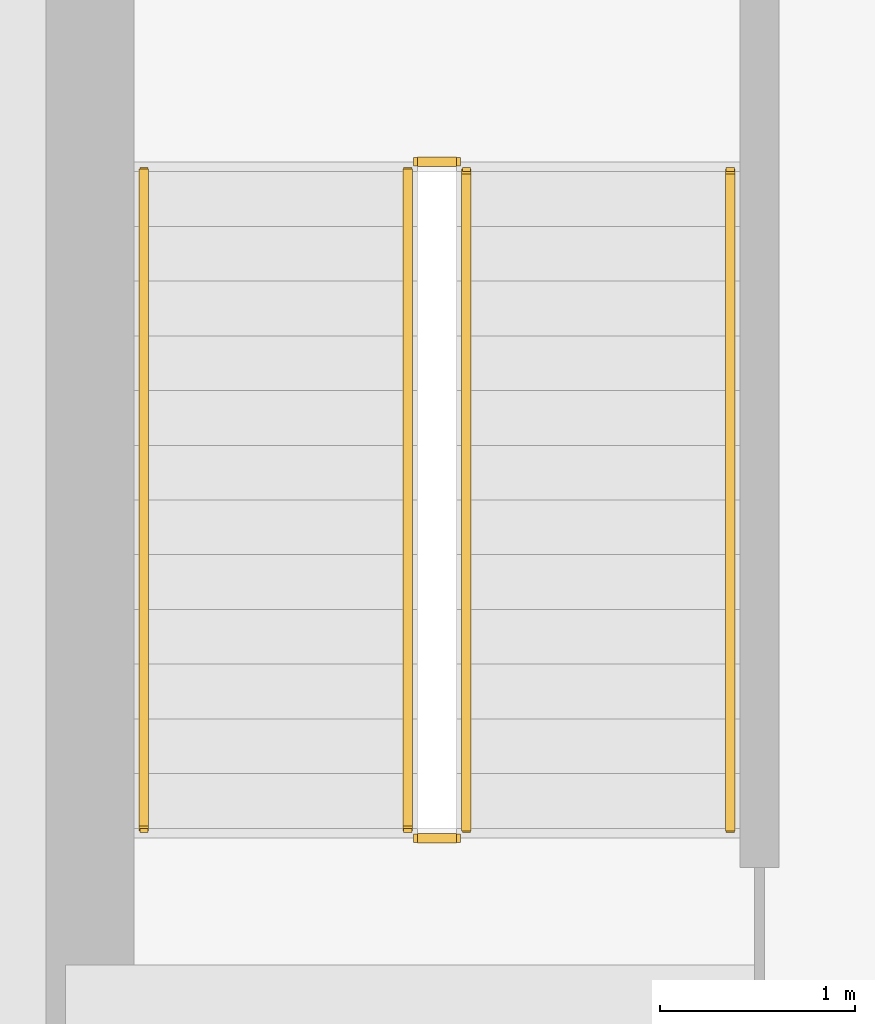
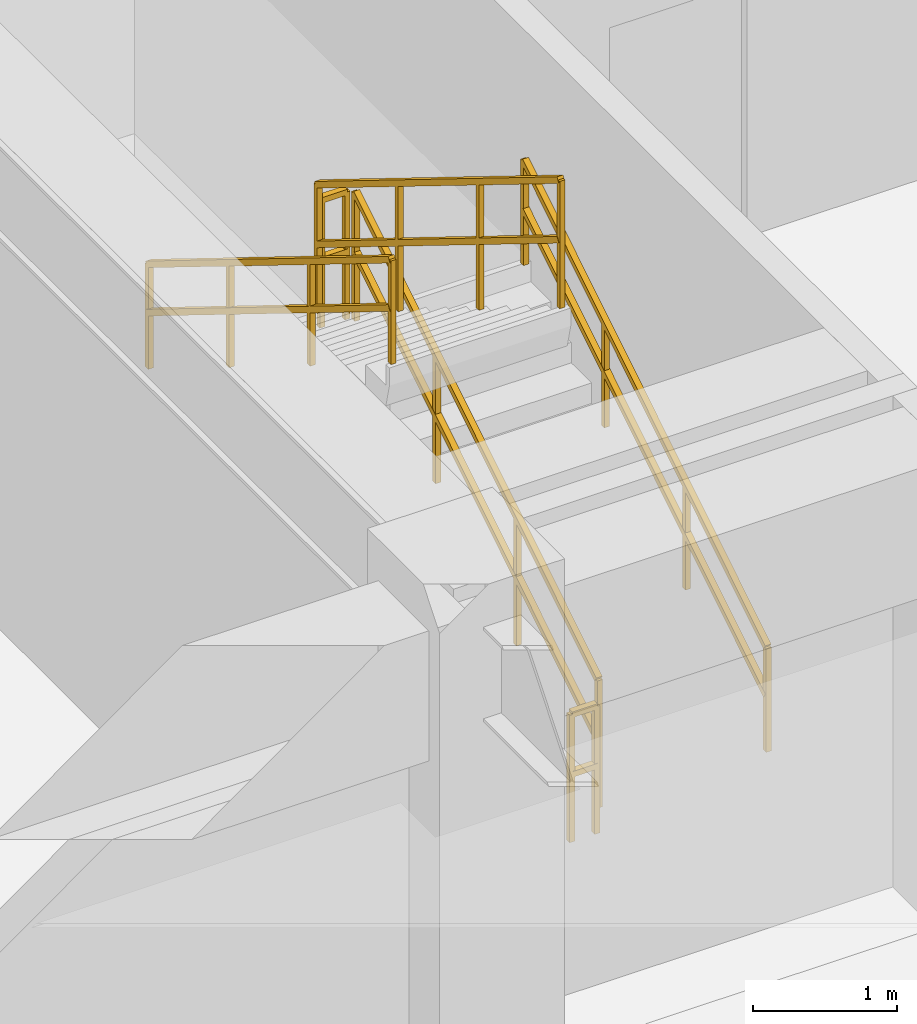
# One storey, part 19 of 21: 6 railings.
"""IFC4 building model written with IfcOpenShell, lengths in metres."""

from ifc_helpers import new_model, si_unit, direction, frame, origin, origin_2d, place, context, subcontext, project, spatial, rectangle, extrude, material, type_object, element, save


model = new_model("IFC4")

# Units and contexts
model_context = context("Model", 3, precision=1e-05, world=origin(), true_north=direction((0.0, 1.0)))
body_context = subcontext(model_context, "Body", "Model", "MODEL_VIEW")
ifc_project = project(units=[si_unit("LENGTHUNIT", "METRE"), si_unit("AREAUNIT", "SQUARE_METRE"), si_unit("VOLUMEUNIT", "CUBIC_METRE"), si_unit("PLANEANGLEUNIT", "RADIAN"), si_unit("MASSUNIT", "GRAM", prefix="KILO")], contexts=[model_context])

# Site, building, storey
site_placement = place(None, origin())
site = spatial("IfcSite", under=ifc_project, at=site_placement, CompositionType="ELEMENT")
building_placement = place(site_placement, origin())
building = spatial("IfcBuilding", under=site, at=building_placement, Name="Trelvane Seafront Commons", CompositionType="ELEMENT")
storey_placement = place(building_placement, frame((0.0, 0.0, 14.199951171875)))
storey = spatial("IfcBuildingStorey", under=building, at=storey_placement, Name="L03", CompositionType="ELEMENT", Elevation=14.199951171875)

# Railings
ifc_material = material(Name="Stainless steel balustrade", Category="steel")
railing_type_1 = type_object("IfcRailingType", Name="ARCH-SRL-GUARD", PredefinedType="GUARDRAIL", material=ifc_material)
railing_1_placement = place(storey_placement, frame((17.89990234375, 35.550048828125, 0.173095703125)))
element("IfcRailing", 1, at=railing_1_placement, inside=storey, type_object=railing_type_1, Name="L03 ST-1 stair guard 1", PredefinedType="GUARDRAIL", context=body_context, shape_type="SweptSolid", body=[
    extrude(rectangle(XDim=0.048095703125, YDim=0.048095703125, at=origin_2d()), frame((0.0, 0.0, 1.076171875), z_axis=(0.0, 0.850606129759, 0.525803396734), x_axis=(-1.0, 0.0, 0.0)), (0.0, 0.0, 1.0), 3.949951171875),
    extrude(rectangle(XDim=0.048095703125, YDim=0.048095703125, at=origin_2d()), frame((0.0, 0.0, 0.572021484375), z_axis=(0.0, 0.850606129759, 0.525803396734), x_axis=(-1.0, 0.0, 0.0)), (0.0, 0.0, 1.0), 3.949951171875),
    extrude(rectangle(XDim=0.0419921875, YDim=0.0419921875, at=origin_2d()), origin(), (0.0, 0.0, 1.0), 1.076171875),
    extrude(rectangle(XDim=0.0419921875, YDim=0.0419921875, at=origin_2d()), frame((0.0, 1.119873046875, 0.6923828125)), (0.0, 0.0, 1.0), 1.076171875),
    extrude(rectangle(XDim=0.0419921875, YDim=0.0419921875, at=origin_2d()), frame((0.0, 2.239990234375, 1.384521484375)), (0.0, 0.0, 1.0), 1.076171875),
    extrude(rectangle(XDim=0.0419921875, YDim=0.0419921875, at=origin_2d()), frame((0.0, 3.35986328125, 2.076904296875)), (0.0, 0.0, 1.0), 1.076171875),
])
railing_2_placement = place(storey_placement, frame((17.85009765625, 38.9599609375, 2.25)))
element("IfcRailing", 2, at=railing_2_placement, inside=storey, type_object=railing_type_1, Name="L03 ST-1 stair guard 2", PredefinedType="GUARDRAIL", context=body_context, shape_type="SweptSolid", body=[
    extrude(rectangle(XDim=0.048095703125, YDim=0.048095703125, at=origin_2d()), frame((0.0, 0.0, 1.076171875), z_axis=(-1.0, 0.0, 0.0), x_axis=(0.0, -1.0, 0.0)), (0.0, 0.0, 1.0), 0.2001953125),
    extrude(rectangle(XDim=0.048095703125, YDim=0.048095703125, at=origin_2d()), frame((0.0, 0.0, 0.572021484375), z_axis=(-1.0, 0.0, 0.0), x_axis=(0.0, -1.0, 0.0)), (0.0, 0.0, 1.0), 0.2001953125),
    extrude(rectangle(XDim=0.0419921875, YDim=0.0419921875, at=origin_2d()), origin(), (0.0, 0.0, 1.0), 1.076171875),
    extrude(rectangle(XDim=0.0419921875, YDim=0.0419921875, at=origin_2d()), frame((-0.2001953125, 0.0, 0.0)), (0.0, 0.0, 1.0), 1.076171875),
])
railing_3_placement = place(storey_placement, frame((17.60009765625, 38.909912109375, 2.423095703125)))
element("IfcRailing", 3, at=railing_3_placement, inside=storey, type_object=railing_type_1, Name="L03 ST-1 stair guard 3", PredefinedType="GUARDRAIL", context=body_context, shape_type="SweptSolid", body=[
    extrude(rectangle(XDim=0.048095703125, YDim=0.048095703125, at=origin_2d()), frame((0.0, 0.0, 1.076171875), z_axis=(0.0, -0.850606129759, 0.525803396734), x_axis=(1.0, 0.0, 0.0)), (0.0, 0.0, 1.0), 3.949951171875),
    extrude(rectangle(XDim=0.048095703125, YDim=0.048095703125, at=origin_2d()), frame((0.0, 0.0, 0.572021484375), z_axis=(0.0, -0.850606129759, 0.525803396734), x_axis=(1.0, 0.0, 0.0)), (0.0, 0.0, 1.0), 3.949951171875),
    extrude(rectangle(XDim=0.0419921875, YDim=0.0419921875, at=origin_2d()), origin(), (0.0, 0.0, 1.0), 1.076171875),
    extrude(rectangle(XDim=0.0419921875, YDim=0.0419921875, at=origin_2d()), frame((0.0, -1.119873046875, 0.6923828125)), (0.0, 0.0, 1.0), 1.076171875),
    extrude(rectangle(XDim=0.0419921875, YDim=0.0419921875, at=origin_2d()), frame((0.0, -2.239990234375, 1.384521484375)), (0.0, 0.0, 1.0), 1.076171875),
    extrude(rectangle(XDim=0.0419921875, YDim=0.0419921875, at=origin_2d()), frame((0.0, -3.35986328125, 2.076904296875)), (0.0, 0.0, 1.0), 1.076171875),
])
railing_4_placement = place(storey_placement, frame((17.85009765625, 35.5, 0.0)))
element("IfcRailing", 4, at=railing_4_placement, inside=storey, type_object=railing_type_1, Name="L03 ST-1 stair guard 4", PredefinedType="GUARDRAIL", context=body_context, shape_type="SweptSolid", body=[
    extrude(rectangle(XDim=0.048095703125, YDim=0.048095703125, at=origin_2d()), frame((0.0, 0.0, 1.076171875), z_axis=(-1.0, 0.0, 0.0), x_axis=(0.0, -1.0, 0.0)), (0.0, 0.0, 1.0), 0.2001953125),
    extrude(rectangle(XDim=0.048095703125, YDim=0.048095703125, at=origin_2d()), frame((0.0, 0.0, 0.572021484375), z_axis=(-1.0, 0.0, 0.0), x_axis=(0.0, -1.0, 0.0)), (0.0, 0.0, 1.0), 0.2001953125),
    extrude(rectangle(XDim=0.0419921875, YDim=0.0419921875, at=origin_2d()), origin(), (0.0, 0.0, 1.0), 1.076171875),
    extrude(rectangle(XDim=0.0419921875, YDim=0.0419921875, at=origin_2d()), frame((-0.2001953125, 0.0, 0.0)), (0.0, 0.0, 1.0), 1.076171875),
])
railing_type_2 = type_object("IfcRailingType", Name="ARCH-SRL-HAND", PredefinedType="HANDRAIL", material=ifc_material)
railing_5_placement = place(storey_placement, frame((19.25, 35.550048828125, 0.173095703125)))
element("IfcRailing", 5, at=railing_5_placement, inside=storey, type_object=railing_type_2, Name="L03 ST-1 stair handrail 1", PredefinedType="HANDRAIL", context=body_context, shape_type="SweptSolid", body=[
    extrude(rectangle(XDim=0.048095703125, YDim=0.048095703125, at=origin_2d()), frame((0.0, 0.0, 0.8759765625), z_axis=(0.0, 0.850606129759, 0.525803396734), x_axis=(-1.0, 0.0, 0.0)), (0.0, 0.0, 1.0), 3.949951171875),
    extrude(rectangle(XDim=0.048095703125, YDim=0.048095703125, at=origin_2d()), frame((0.0, 0.0, 0.468017578125), z_axis=(0.0, 0.850606129759, 0.525803396734), x_axis=(-1.0, 0.0, 0.0)), (0.0, 0.0, 1.0), 3.949951171875),
    extrude(rectangle(XDim=0.0419921875, YDim=0.0419921875, at=origin_2d()), origin(), (0.0, 0.0, 1.0), 0.8759765625),
    extrude(rectangle(XDim=0.0419921875, YDim=0.0419921875, at=origin_2d()), frame((0.0, 1.119873046875, 0.6923828125)), (0.0, 0.0, 1.0), 0.8759765625),
    extrude(rectangle(XDim=0.0419921875, YDim=0.0419921875, at=origin_2d()), frame((0.0, 2.239990234375, 1.384521484375)), (0.0, 0.0, 1.0), 0.8759765625),
    extrude(rectangle(XDim=0.0419921875, YDim=0.0419921875, at=origin_2d()), frame((0.0, 3.35986328125, 2.076904296875)), (0.0, 0.0, 1.0), 0.8759765625),
])
railing_6_placement = place(storey_placement, frame((16.25, 38.909912109375, 2.423095703125)))
element("IfcRailing", 6, at=railing_6_placement, inside=storey, type_object=railing_type_2, Name="L03 ST-1 stair handrail 2", PredefinedType="HANDRAIL", context=body_context, shape_type="SweptSolid", body=[
    extrude(rectangle(XDim=0.048095703125, YDim=0.048095703125, at=origin_2d()), frame((0.0, 0.0, 0.8759765625), z_axis=(0.0, -0.850606129759, 0.525803396734), x_axis=(1.0, 0.0, 0.0)), (0.0, 0.0, 1.0), 3.949951171875),
    extrude(rectangle(XDim=0.048095703125, YDim=0.048095703125, at=origin_2d()), frame((0.0, 0.0, 0.468017578125), z_axis=(0.0, -0.850606129759, 0.525803396734), x_axis=(1.0, 0.0, 0.0)), (0.0, 0.0, 1.0), 3.949951171875),
    extrude(rectangle(XDim=0.0419921875, YDim=0.0419921875, at=origin_2d()), origin(), (0.0, 0.0, 1.0), 0.8759765625),
    extrude(rectangle(XDim=0.0419921875, YDim=0.0419921875, at=origin_2d()), frame((0.0, -1.119873046875, 0.6923828125)), (0.0, 0.0, 1.0), 0.8759765625),
    extrude(rectangle(XDim=0.0419921875, YDim=0.0419921875, at=origin_2d()), frame((0.0, -2.239990234375, 1.384521484375)), (0.0, 0.0, 1.0), 0.8759765625),
    extrude(rectangle(XDim=0.0419921875, YDim=0.0419921875, at=origin_2d()), frame((0.0, -3.35986328125, 2.076904296875)), (0.0, 0.0, 1.0), 0.8759765625),
])

save(model, "model.ifc")
